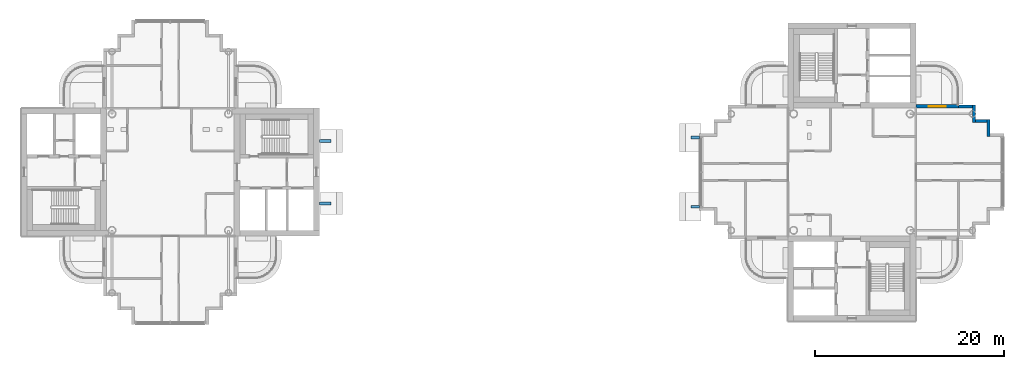
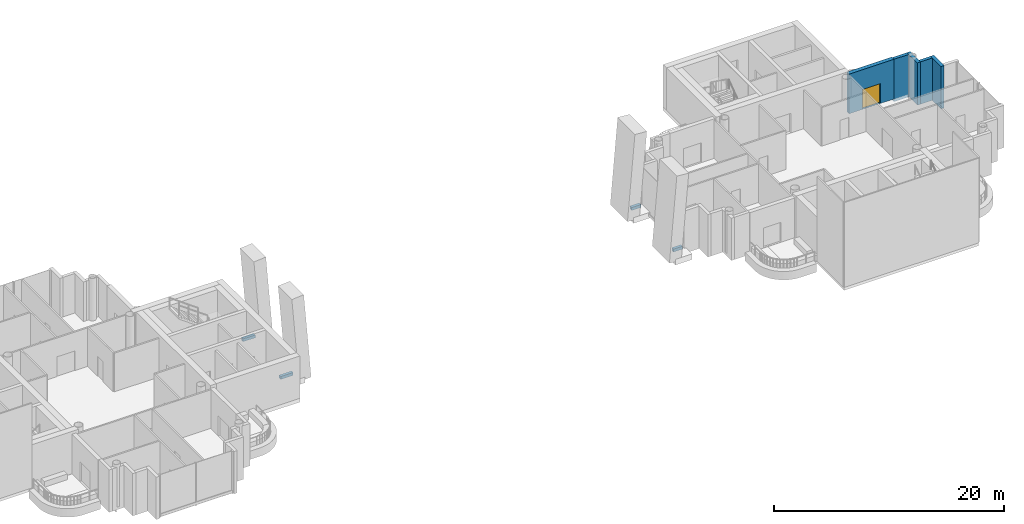
# One storey, part 11 of 19: 5 walls, 4 discrete accessories, 1 door, 1 opening.
"""IFC4 building model written with IfcOpenShell, lengths in metres."""

from ifc_helpers import new_model, si_unit, direction, frame, frame_2d, origin, origin_2d, place, context, subcontext, project, spatial, rectangle, extrude, material, layer, layer_set, type_object, element, fill, save


model = new_model("IFC4")

# Units and contexts
model_context = context("Model", 3, precision=1e-05, world=origin(), true_north=direction((0.0, 1.0)))
body_context = subcontext(model_context, "Body", "Model", "MODEL_VIEW")
ifc_project = project(units=[si_unit("LENGTHUNIT", "METRE"), si_unit("AREAUNIT", "SQUARE_METRE"), si_unit("VOLUMEUNIT", "CUBIC_METRE"), si_unit("PLANEANGLEUNIT", "RADIAN"), si_unit("MASSUNIT", "GRAM", prefix="KILO")], contexts=[model_context])

# Site, building, storey
site_placement = place(None, origin())
site = spatial("IfcSite", under=ifc_project, at=site_placement, CompositionType="ELEMENT")
building_placement = place(site_placement, origin())
building = spatial("IfcBuilding", under=site, at=building_placement, Name="Ipe Terrace Towers", CompositionType="ELEMENT")
storey_placement = place(building_placement, frame((0.0, 0.0, 237.89990234375)))
storey = spatial("IfcBuildingStorey", under=building, at=storey_placement, Name="L66", CompositionType="ELEMENT", Elevation=237.89990234375)

# Wall, opening, door
ifc_material_1 = material(Name="Concrete C40/50 with buff precast cladding", Category="concrete")
ifc_layer_1 = layer(ifc_material_1, 0.39990234375)
ifc_layer_set_1 = layer_set([ifc_layer_1], Name="BALCONY BAY WALL 400")
wall_type_1 = type_object("IfcWallType", Name="BALCONY BAY WALL 400", PredefinedType="STANDARD", material=ifc_layer_set_1)
wall_1_placement = place(storey_placement, frame((47.25, 6.949951171875, -0.02001953125), z_axis=(0.0, 0.0, 1.0), x_axis=(-1.0, 0.0, 0.0)))
wall_1 = element("IfcWall", 1, at=wall_1_placement, inside=storey, type_object=wall_type_1, Name="T2-W-L66-14a wall", PredefinedType="STANDARD", context=body_context, shape_type="SweptSolid", body=[
    extrude(rectangle(XDim=4.5, YDim=0.39990234375, at=frame_2d((2.25, 0.0))), origin(), (0.0, 0.0, 1.0), 4.22021484375),
])
opening_placement = place(wall_1_placement, frame((1.35009765625, 0.0, 0.02001953125)))
opening = element("IfcOpeningElement", 2, at=opening_placement, cuts=wall_1, Name="Opening T2-D-L66-14", PredefinedType="OPENING", context=body_context, shape_type="SweptSolid", body=[
    extrude(rectangle(XDim=1.800048828125, YDim=2.10009765625, at=frame_2d((0.89990234375, 1.050048828125))), frame((0.0, 0.2099609375, 0.0), z_axis=(0.0, -1.0, 0.0), x_axis=(1.0, 0.0, 0.0)), (0.0, 0.0, 1.0), 0.419921875),
])
ifc_material_2 = material(Name="Aluminium alloy 6063-T6 framed glazed door", Category="aluminium")
door_type = type_object("IfcDoorType", Name="BALCONY DOOR 1800 x 2100 RIGHT", OperationType="SINGLE_SWING_RIGHT", PredefinedType="DOOR", material=ifc_material_2)
door_placement = place(opening_placement, origin())
door = element("IfcDoor", 3, at=door_placement, inside=storey, type_object=door_type, Name="DB2 door", OperationType="SINGLE_SWING_RIGHT", OverallHeight=2.10009765625, OverallWidth=1.800048828125, PredefinedType="DOOR", context=body_context, shape_type="SweptSolid", body=[
    extrude(rectangle(XDim=1.800048828125, YDim=2.10009765625, at=frame_2d((0.89990234375, 1.050048828125))), frame((0.0, 0.02490234375, 0.0), z_axis=(0.0, -1.0, 0.0), x_axis=(1.0, 0.0, 0.0)), (0.0, 0.0, 1.0), 0.050048828125),
])
fill(opening, door)

# Walls
ifc_material_3 = material(Name="Concrete C40/50 with buff precast cladding", Category="concrete")
ifc_layer_2 = layer(ifc_material_3, 0.320068359375)
ifc_layer_set_2 = layer_set([ifc_layer_2], Name="BUFF CLADDING WALL 320")
wall_type_2 = type_object("IfcWallType", Name="BUFF CLADDING WALL 320", PredefinedType="STANDARD", material=ifc_layer_set_2)
wall_2_placement = place(storey_placement, frame((50.409912109375, 3.75, -0.2998046875), z_axis=(0.0, 0.0, 1.0), x_axis=(0.0, 1.0, 0.0)))
element("IfcWall", 4, at=wall_2_placement, inside=storey, type_object=wall_type_2, Name="T2-W-L66-10a wall", PredefinedType="STANDARD", context=body_context, shape_type="SweptSolid", body=[
    extrude(rectangle(XDim=1.820068359375, YDim=0.320068359375, at=frame_2d((0.91015625, 0.0))), origin(), (0.0, 0.0, 1.0), 4.5),
])
wall_3_placement = place(storey_placement, frame((50.25, 5.409912109375, -0.2998046875), z_axis=(0.0, 0.0, 1.0), x_axis=(-1.0, 0.0, 0.0)))
element("IfcWall", 5, at=wall_3_placement, inside=storey, type_object=wall_type_2, Name="T2-W-L66-11a wall", PredefinedType="STANDARD", context=body_context, shape_type="SweptSolid", body=[
    extrude(rectangle(XDim=1.179931640625, YDim=0.320068359375, at=frame_2d((0.58984375, 0.0))), origin(), (0.0, 0.0, 1.0), 4.5),
])
wall_4_placement = place(storey_placement, frame((48.909912109375, 5.25, -0.2998046875), z_axis=(0.0, 0.0, 1.0), x_axis=(0.0, 1.0, 0.0)))
element("IfcWall", 6, at=wall_4_placement, inside=storey, type_object=wall_type_2, Name="T2-W-L66-12a wall", PredefinedType="STANDARD", context=body_context, shape_type="SweptSolid", body=[
    extrude(rectangle(XDim=1.820068359375, YDim=0.320068359375, at=frame_2d((0.91015625, 0.0))), origin(), (0.0, 0.0, 1.0), 4.5),
])
wall_5_placement = place(storey_placement, frame((48.75, 6.909912109375, -0.2998046875), z_axis=(0.0, 0.0, 1.0), x_axis=(-1.0, 0.0, 0.0)))
element("IfcWall", 7, at=wall_5_placement, inside=storey, type_object=wall_type_2, Name="T2-W-L66-13a wall", PredefinedType="STANDARD", context=body_context, shape_type="SweptSolid", body=[
    extrude(rectangle(XDim=1.5, YDim=0.320068359375, at=frame_2d((0.75, 0.0))), origin(), (0.0, 0.0, 1.0), 4.5),
])

# Discrete accessories
ifc_material_4 = material(Name="Stainless steel S316", Category="steel")
discrete_accessory_type = type_object("IfcDiscreteAccessoryType", Name="STONE FIN BRACKET", PredefinedType="BRACKET", material=ifc_material_4)
for number, where, z_axis, x_axis, name in (
    (8, (-19.632080078125, -3.300048828125, 0.0), (0.0, 0.0, 1.0), (0.0, 1.0, 0.0), "stone fin bracket"),
    (9, (-19.632080078125, 3.300048828125, 0.0), (0.0, 0.0, 1.0), (0.0, 1.0, 0.0), "stone fin bracket"),
):
    element("IfcDiscreteAccessory", number, at=place(storey_placement, frame(where, z_axis=z_axis, x_axis=x_axis)), inside=storey, type_object=discrete_accessory_type, Name=name, PredefinedType="BRACKET", context=body_context, shape_type="SweptSolid", body=[
        extrude(rectangle(XDim=0.300048828125, YDim=1.2353515625, at=origin_2d()), origin(), (0.0, 0.0, 1.0), 0.300048828125),
    ])
for number, where, z_axis, x_axis, name in (
    (10, (19.471923828125, -3.64990234375, 0.0), (0.0, 0.0, 1.0), (0.0, -1.0, 0.0), "stone fin bracket"),
    (11, (19.471923828125, 3.64990234375, 0.0), (0.0, 0.0, 1.0), (0.0, -1.0, 0.0), "stone fin bracket"),
):
    element("IfcDiscreteAccessory", number, at=place(storey_placement, frame(where, z_axis=z_axis, x_axis=x_axis)), inside=storey, type_object=discrete_accessory_type, Name=name, PredefinedType="BRACKET", context=body_context, shape_type="SweptSolid", body=[
        extrude(rectangle(XDim=0.300048828125, YDim=0.915283203125, at=origin_2d()), origin(), (0.0, 0.0, 1.0), 0.300048828125),
    ])

save(model, "model.ifc")
